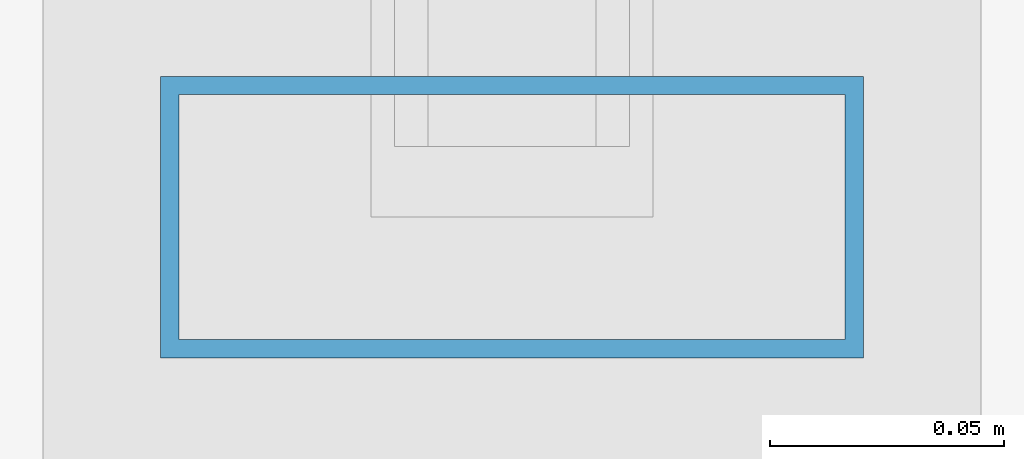
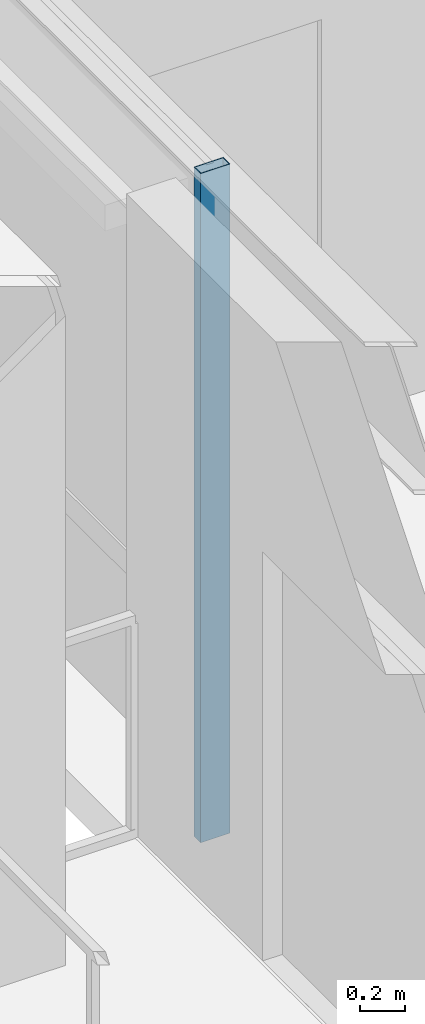
# One storey, part 9 of 24: 1 member, 1 element without a shape of its own.
"""IFC4 building model written with IfcOpenShell, lengths in metres."""

from ifc_helpers import new_model, si_unit, direction, frame, origin, origin_2d, place, context, subcontext, project, spatial, hollow_rectangle, extrude, material, layer, layer_set, material_profile, profile_set, type_object, element, aggregate, save


model = new_model("IFC4")

# Units and contexts
model_context = context("Model", 3, precision=1e-05, world=origin(), true_north=direction((0.0, 1.0)))
body_context = subcontext(model_context, "Body", "Model", "MODEL_VIEW")
ifc_project = project(units=[si_unit("LENGTHUNIT", "METRE"), si_unit("AREAUNIT", "SQUARE_METRE"), si_unit("VOLUMEUNIT", "CUBIC_METRE"), si_unit("PLANEANGLEUNIT", "RADIAN"), si_unit("MASSUNIT", "GRAM", prefix="KILO")], contexts=[model_context])

# Site, building, storey
site_placement = place(None, origin())
site = spatial("IfcSite", under=ifc_project, at=site_placement, CompositionType="ELEMENT")
building_placement = place(site_placement, origin())
building = spatial("IfcBuilding", under=site, at=building_placement, Name="Brelmoor Portico Tower", CompositionType="ELEMENT")
storey_placement = place(building_placement, frame((0.0, 0.0, 261.60009765625)))
storey = spatial("IfcBuildingStorey", under=building, at=storey_placement, Name="L69", CompositionType="ELEMENT", Elevation=261.60009765625)

# Curtain wall, member
ifc_material = material(Name="Anodised Aluminium Alloy 6063-T6", Category="aluminium")
ifc_layer = layer(ifc_material, 0.179931640625)
ifc_layer_set = layer_set([ifc_layer], Name="Anodised Aluminium Alloy 6063-T6")
curtain_wall_type = type_object("IfcCurtainWallType", Name="CW-TOWER-Z4", PredefinedType="NOTDEFINED", material=ifc_layer_set)
curtain_wall_placement = place(storey_placement, origin())
curtain_wall = element("IfcCurtainWall", 1, at=curtain_wall_placement, inside=storey, type_object=curtain_wall_type, Name="L69 Curtain Wall CW-L69-3R-1", PredefinedType="NOTDEFINED")
ifc_material_profile = material_profile(ifc_material, hollow_rectangle(XDim=0.06005859375, YDim=0.14990234375, WallThickness=0.00390625, at=origin_2d()), Name="ALU MULLION 60x150")
ifc_profile_set = profile_set([ifc_material_profile], Name="Anodised Aluminium Alloy 6063-T6")
member_type = type_object("IfcMemberType", Name="MB-CW-MULL-150", PredefinedType="MULLION", material=ifc_profile_set)
member_placement = place(storey_placement, frame((-18.550048828125, -1.0, -0.2001953125), z_axis=(0.0, 0.0, 1.0), x_axis=(0.0, 1.0, 0.0)))
member = element("IfcMember", 2, at=member_placement, type_object=member_type, Name="CW-L69-3R-1 Mullion 00", PredefinedType="MULLION", context=body_context, shape_type="SweptSolid", body=[
    extrude(hollow_rectangle(XDim=0.06005859375, YDim=0.14990234375, WallThickness=0.00390625, at=origin_2d()), origin(), (0.0, 0.0, 1.0), 3.60009765625),
])
aggregate(curtain_wall, [member])

save(model, "model.ifc")
